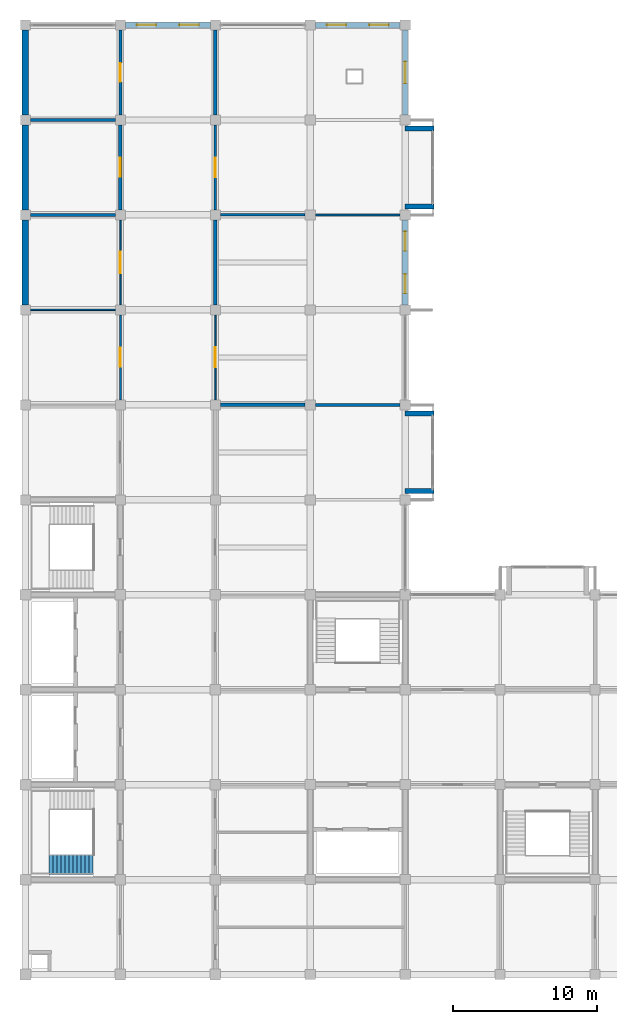
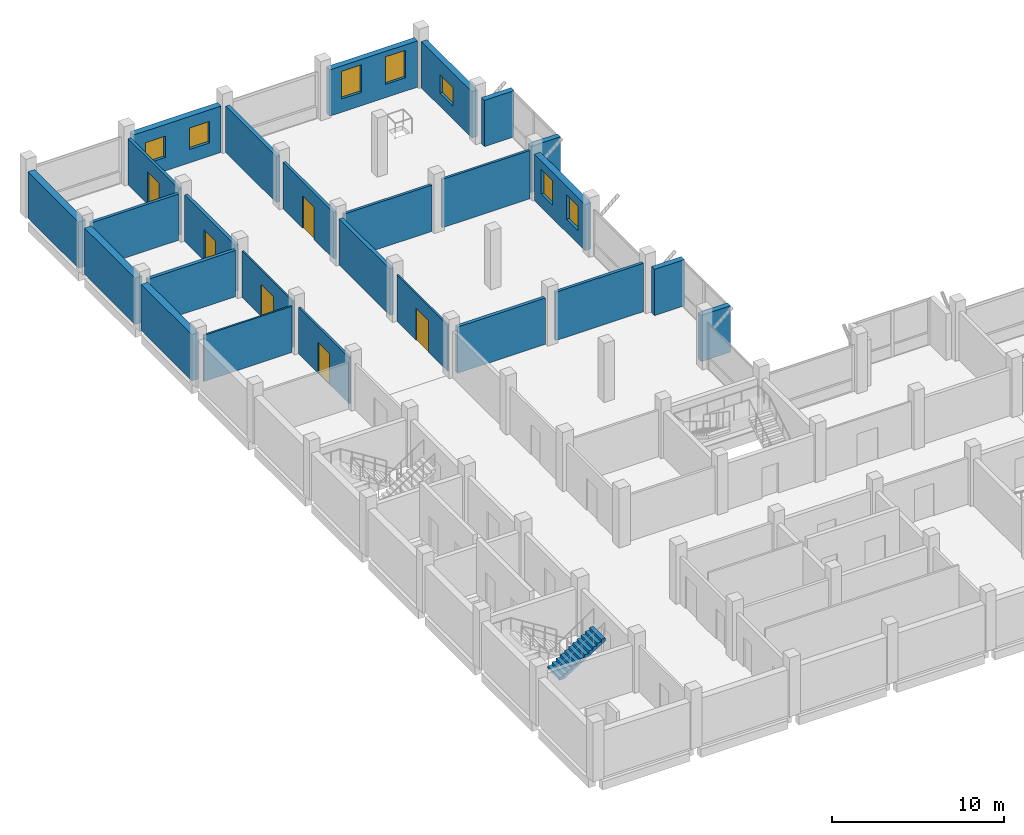
# One storey, part 9 of 11: 26 walls, 7 windows, 6 doors, 1 stair flight, 13 openings, 1 element without a shape of its own.
"""IFC4 building model written with IfcOpenShell, lengths in metres."""

from ifc_helpers import new_model, si_unit, direction, frame, frame_2d, origin, place, context, subcontext, project, spatial, polyline, rectangle, outline, extrude, material, layer, layer_set, type_object, element, fill, aggregate, save


model = new_model("IFC4")

# Units and contexts
model_context = context("Model", 3, precision=1e-05, world=origin(), true_north=direction((0.0, 1.0)))
body_context = subcontext(model_context, "Body", "Model", "MODEL_VIEW")
ifc_project = project(units=[si_unit("LENGTHUNIT", "METRE"), si_unit("AREAUNIT", "SQUARE_METRE"), si_unit("VOLUMEUNIT", "CUBIC_METRE"), si_unit("PLANEANGLEUNIT", "RADIAN"), si_unit("MASSUNIT", "GRAM", prefix="KILO")], contexts=[model_context])

# Site, building, storey
site_placement = place(None, origin())
site = spatial("IfcSite", under=ifc_project, at=site_placement, CompositionType="ELEMENT")
building_placement = place(site_placement, origin())
building = spatial("IfcBuilding", under=site, at=building_placement, Name="Rusizi Kubbe Research Institute", CompositionType="ELEMENT")
storey_placement = place(building_placement, frame((0.0, 0.0, 39.60009765625)))
storey = spatial("IfcBuildingStorey", under=building, at=storey_placement, Name="L09", CompositionType="ELEMENT", Elevation=39.60009765625)

# Wall, openings, windows
ifc_material_1 = material(Name="Volcanic Basalt Ashlar Masonry", Category="masonry")
ifc_layer_1 = layer(ifc_material_1, 0.419921875)
ifc_layer_set_1 = layer_set([ifc_layer_1], Name="Volcanic Basalt Ashlar Masonry")
wall_type_1 = type_object("IfcWallType", Name="EW-02", PredefinedType="SOLIDWALL", material=ifc_layer_set_1)
wall_1_placement = place(storey_placement, frame((6.949951171875, 66.0, 0.0), z_axis=(0.0, 0.0, 1.0), x_axis=(1.0, 0.0, 0.0)))
wall_1 = element("IfcWall", 1, at=wall_1_placement, inside=storey, type_object=wall_type_1, Name="Ablaq Stone Exterior Wall L09 H1-10", PredefinedType="SOLIDWALL", context=body_context, shape_type="SweptSolid", body=[
    extrude(rectangle(XDim=5.900146484375, YDim=0.419921875, at=frame_2d((2.9501953125, 0.0))), origin(), (0.0, 0.0, 1.0), 3.289794921875),
])
opening_1_placement = place(wall_1_placement, frame((0.800048828125, 0.0, 0.949951171875)))
opening_1 = element("IfcOpeningElement", 2, at=opening_1_placement, cuts=wall_1, Name="Opening WN-14", PredefinedType="OPENING", context=body_context, shape_type="SweptSolid", body=[
    extrude(rectangle(XDim=1.340087890625, YDim=1.52001953125, at=frame_2d((0.669921875, 0.760009765625))), frame((0.0, 0.219970703125, 0.0), z_axis=(0.0, -1.0, 0.0), x_axis=(1.0, 0.0, 0.0)), (0.0, 0.0, 1.0), 0.43994140625),
])
opening_2_placement = place(wall_1_placement, frame((3.760009765625, 0.0, 0.949951171875)))
opening_2 = element("IfcOpeningElement", 3, at=opening_2_placement, cuts=wall_1, Name="Opening WN-14", PredefinedType="OPENING", context=body_context, shape_type="SweptSolid", body=[
    extrude(rectangle(XDim=1.340087890625, YDim=1.52001953125, at=frame_2d((0.669921875, 0.760009765625))), frame((0.0, 0.219970703125, 0.0), z_axis=(0.0, -1.0, 0.0), x_axis=(1.0, 0.0, 0.0)), (0.0, 0.0, 1.0), 0.43994140625),
])
ifc_material_2 = material(Name="Aluminium Frame and Solar-Control Double Glazing", Category="glass")
window_type_1 = type_object("IfcWindowType", Name="WN-14", PartitioningType="SINGLE_PANEL", PredefinedType="WINDOW", material=ifc_material_2)
window_1_placement = place(opening_1_placement, origin())
window_1 = element("IfcWindow", 4, at=window_1_placement, inside=storey, type_object=window_type_1, Name="Casement Window WN-14 L09", OverallHeight=1.52001953125, OverallWidth=1.340087890625, PartitioningType="SINGLE_PANEL", PredefinedType="WINDOW", context=body_context, shape_type="SweptSolid", body=[
    extrude(rectangle(XDim=1.340087890625, YDim=1.52001953125, at=frame_2d((0.669921875, 0.760009765625))), frame((0.0, 0.030029296875, 0.0), z_axis=(0.0, -1.0, 0.0), x_axis=(1.0, 0.0, 0.0)), (0.0, 0.0, 1.0), 0.06005859375),
])
fill(opening_1, window_1)
window_2_placement = place(opening_2_placement, origin())
window_2 = element("IfcWindow", 5, at=window_2_placement, inside=storey, type_object=window_type_1, Name="Casement Window WN-14 L09", OverallHeight=1.52001953125, OverallWidth=1.340087890625, PartitioningType="SINGLE_PANEL", PredefinedType="WINDOW", context=body_context, shape_type="SweptSolid", body=[
    extrude(rectangle(XDim=1.340087890625, YDim=1.52001953125, at=frame_2d((0.669921875, 0.760009765625))), frame((0.0, 0.030029296875, 0.0), z_axis=(0.0, -1.0, 0.0), x_axis=(1.0, 0.0, 0.0)), (0.0, 0.0, 1.0), 0.06005859375),
])
fill(opening_2, window_2)

wall_2_placement = place(storey_placement, frame((26.39990234375, 46.550048828125, 0.0), z_axis=(0.0, 0.0, 1.0), x_axis=(0.0, 1.0, 0.0)))
wall_2 = element("IfcWall", 6, at=wall_2_placement, inside=storey, type_object=wall_type_1, Name="Ablaq Stone Exterior Wall L09 V4-7", PredefinedType="SOLIDWALL", context=body_context, shape_type="SweptSolid", body=[
    extrude(rectangle(XDim=5.89990234375, YDim=0.419921875, at=frame_2d((2.949951171875, 0.0))), origin(), (0.0, 0.0, 1.0), 3.289794921875),
])
opening_3_placement = place(wall_2_placement, frame((0.800048828125, 0.0, 0.949951171875)))
opening_3 = element("IfcOpeningElement", 7, at=opening_3_placement, cuts=wall_2, Name="Opening WN-15", PredefinedType="OPENING", context=body_context, shape_type="SweptSolid", body=[
    extrude(rectangle(XDim=1.340087890625, YDim=1.739990234375, at=frame_2d((0.669921875, 0.8701171875))), frame((0.0, 0.219970703125, 0.0), z_axis=(0.0, -1.0, 0.0), x_axis=(1.0, 0.0, 0.0)), (0.0, 0.0, 1.0), 0.43994140625),
])
opening_4_placement = place(wall_2_placement, frame((3.760009765625, 0.0, 0.949951171875)))
opening_4 = element("IfcOpeningElement", 8, at=opening_4_placement, cuts=wall_2, Name="Opening WN-15", PredefinedType="OPENING", context=body_context, shape_type="SweptSolid", body=[
    extrude(rectangle(XDim=1.340087890625, YDim=1.739990234375, at=frame_2d((0.669921875, 0.8701171875))), frame((0.0, 0.219970703125, 0.0), z_axis=(0.0, -1.0, 0.0), x_axis=(1.0, 0.0, 0.0)), (0.0, 0.0, 1.0), 0.43994140625),
])
ifc_material_3 = material(Name="Aluminium Frame and Solar-Control Double Glazing", Category="glass")
window_type_2 = type_object("IfcWindowType", Name="WN-15", PartitioningType="SINGLE_PANEL", PredefinedType="WINDOW", material=ifc_material_3)
window_3_placement = place(opening_3_placement, origin())
window_3 = element("IfcWindow", 9, at=window_3_placement, inside=storey, type_object=window_type_2, Name="Casement Window WN-15 L09", OverallHeight=1.739990234375, OverallWidth=1.340087890625, PartitioningType="SINGLE_PANEL", PredefinedType="WINDOW", context=body_context, shape_type="SweptSolid", body=[
    extrude(rectangle(XDim=1.340087890625, YDim=1.739990234375, at=frame_2d((0.669921875, 0.8701171875))), frame((0.0, 0.030029296875, 0.0), z_axis=(0.0, -1.0, 0.0), x_axis=(1.0, 0.0, 0.0)), (0.0, 0.0, 1.0), 0.06005859375),
])
fill(opening_3, window_3)
window_4_placement = place(opening_4_placement, origin())
window_4 = element("IfcWindow", 10, at=window_4_placement, inside=storey, type_object=window_type_2, Name="Casement Window WN-15 L09", OverallHeight=1.739990234375, OverallWidth=1.340087890625, PartitioningType="SINGLE_PANEL", PredefinedType="WINDOW", context=body_context, shape_type="SweptSolid", body=[
    extrude(rectangle(XDim=1.340087890625, YDim=1.739990234375, at=frame_2d((0.669921875, 0.8701171875))), frame((0.0, 0.030029296875, 0.0), z_axis=(0.0, -1.0, 0.0), x_axis=(1.0, 0.0, 0.0)), (0.0, 0.0, 1.0), 0.06005859375),
])
fill(opening_4, window_4)

ifc_material_4 = material(Name="Volcanic Basalt Ashlar Masonry", Category="masonry")
ifc_layer_2 = layer(ifc_material_4, 0.385009765625)
ifc_layer_set_2 = layer_set([ifc_layer_2], Name="Volcanic Basalt Ashlar Masonry")
wall_type_2 = type_object("IfcWallType", Name="EW-04", PredefinedType="SOLIDWALL", material=ifc_layer_set_2)
wall_3_placement = place(storey_placement, frame((20.14990234375, 66.0, 0.0), z_axis=(0.0, 0.0, 1.0), x_axis=(1.0, 0.0, 0.0)))
wall_3 = element("IfcWall", 11, at=wall_3_placement, inside=storey, type_object=wall_type_2, Name="Ablaq Stone Exterior Wall L09 H3-10", PredefinedType="SOLIDWALL", context=body_context, shape_type="SweptSolid", body=[
    extrude(rectangle(XDim=5.900146484375, YDim=0.385009765625, at=frame_2d((2.9501953125, 0.0))), origin(), (0.0, 0.0, 1.0), 3.289794921875),
])
opening_5_placement = place(wall_3_placement, frame((0.800048828125, 0.0, 0.949951171875)))
opening_5 = element("IfcOpeningElement", 12, at=opening_5_placement, cuts=wall_3, Name="Opening WN-16", PredefinedType="OPENING", context=body_context, shape_type="SweptSolid", body=[
    extrude(rectangle(XDim=1.340087890625, YDim=1.9599609375, at=frame_2d((0.669921875, 0.97998046875))), frame((0.0, 0.202392578125, 0.0), z_axis=(0.0, -1.0, 0.0), x_axis=(1.0, 0.0, 0.0)), (0.0, 0.0, 1.0), 0.405029296875),
])
opening_6_placement = place(wall_3_placement, frame((3.760009765625, 0.0, 0.949951171875)))
opening_6 = element("IfcOpeningElement", 13, at=opening_6_placement, cuts=wall_3, Name="Opening WN-16", PredefinedType="OPENING", context=body_context, shape_type="SweptSolid", body=[
    extrude(rectangle(XDim=1.340087890625, YDim=1.9599609375, at=frame_2d((0.669921875, 0.97998046875))), frame((0.0, 0.202392578125, 0.0), z_axis=(0.0, -1.0, 0.0), x_axis=(1.0, 0.0, 0.0)), (0.0, 0.0, 1.0), 0.405029296875),
])
ifc_material_5 = material(Name="Aluminium Frame and Solar-Control Double Glazing", Category="glass")
window_type_3 = type_object("IfcWindowType", Name="WN-16", PartitioningType="SINGLE_PANEL", PredefinedType="WINDOW", material=ifc_material_5)
window_5_placement = place(opening_5_placement, origin())
window_5 = element("IfcWindow", 14, at=window_5_placement, inside=storey, type_object=window_type_3, Name="Casement Window WN-16 L09", OverallHeight=1.9599609375, OverallWidth=1.340087890625, PartitioningType="SINGLE_PANEL", PredefinedType="WINDOW", context=body_context, shape_type="SweptSolid", body=[
    extrude(rectangle(XDim=1.340087890625, YDim=1.9599609375, at=frame_2d((0.669921875, 0.97998046875))), frame((0.0, 0.030029296875, 0.0), z_axis=(0.0, -1.0, 0.0), x_axis=(1.0, 0.0, 0.0)), (0.0, 0.0, 1.0), 0.06005859375),
])
fill(opening_5, window_5)
window_6_placement = place(opening_6_placement, origin())
window_6 = element("IfcWindow", 15, at=window_6_placement, inside=storey, type_object=window_type_3, Name="Casement Window WN-16 L09", OverallHeight=1.9599609375, OverallWidth=1.340087890625, PartitioningType="SINGLE_PANEL", PredefinedType="WINDOW", context=body_context, shape_type="SweptSolid", body=[
    extrude(rectangle(XDim=1.340087890625, YDim=1.9599609375, at=frame_2d((0.669921875, 0.97998046875))), frame((0.0, 0.030029296875, 0.0), z_axis=(0.0, -1.0, 0.0), x_axis=(1.0, 0.0, 0.0)), (0.0, 0.0, 1.0), 0.06005859375),
])
fill(opening_6, window_6)

# Wall, opening, window
wall_4_placement = place(storey_placement, frame((26.39990234375, 59.75, 0.0), z_axis=(0.0, 0.0, 1.0), x_axis=(0.0, 1.0, 0.0)))
wall_4 = element("IfcWall", 16, at=wall_4_placement, inside=storey, type_object=wall_type_2, Name="Ablaq Stone Exterior Wall L09 V4-9", PredefinedType="SOLIDWALL", context=body_context, shape_type="SweptSolid", body=[
    extrude(rectangle(XDim=5.89990234375, YDim=0.385009765625, at=frame_2d((2.949951171875, 0.0))), origin(), (0.0, 0.0, 1.0), 3.289794921875),
])
opening_7_placement = place(wall_4_placement, frame((2.18994140625, 0.0, 0.949951171875)))
opening_7 = element("IfcOpeningElement", 17, at=opening_7_placement, cuts=wall_4, Name="Opening WN-17", PredefinedType="OPENING", context=body_context, shape_type="SweptSolid", body=[
    extrude(rectangle(XDim=1.52001953125, YDim=1.300048828125, at=frame_2d((0.760009765625, 0.64990234375))), frame((0.0, 0.202392578125, 0.0), z_axis=(0.0, -1.0, 0.0), x_axis=(1.0, 0.0, 0.0)), (0.0, 0.0, 1.0), 0.405029296875),
])
ifc_material_6 = material(Name="Aluminium Frame and Solar-Control Double Glazing", Category="glass")
window_type_4 = type_object("IfcWindowType", Name="WN-17", PartitioningType="DOUBLE_PANEL_VERTICAL", PredefinedType="WINDOW", material=ifc_material_6)
window_7_placement = place(opening_7_placement, origin())
window_7 = element("IfcWindow", 18, at=window_7_placement, inside=storey, type_object=window_type_4, Name="Casement Window WN-17 L09", OverallHeight=1.300048828125, OverallWidth=1.52001953125, PartitioningType="DOUBLE_PANEL_VERTICAL", PredefinedType="WINDOW", context=body_context, shape_type="SweptSolid", body=[
    extrude(rectangle(XDim=1.52001953125, YDim=1.300048828125, at=frame_2d((0.760009765625, 0.64990234375))), frame((0.0, 0.030029296875, 0.0), z_axis=(0.0, -1.0, 0.0), x_axis=(1.0, 0.0, 0.0)), (0.0, 0.0, 1.0), 0.06005859375),
])
fill(opening_7, window_7)

# Walls
ifc_material_7 = material(Name="Volcanic Basalt Ashlar Masonry", Category="masonry")
ifc_layer_3 = layer(ifc_material_7, 0.35498046875)
ifc_layer_set_3 = layer_set([ifc_layer_3], Name="Volcanic Basalt Ashlar Masonry")
wall_type_3 = type_object("IfcWallType", Name="EW-06", PredefinedType="SOLIDWALL", material=ifc_layer_set_3)
for number, where, z_axis, x_axis, name in (
    (19, (26.39990234375, 33.60009765625, 0.0), (0.0, 0.0, 1.0), (1.0, 0.0, 0.0), "Cumba Return Wall S L09 (4,5)"),
    (20, (26.39990234375, 39.0, 0.0), (0.0, 0.0, 1.0), (1.0, 0.0, 0.0), "Cumba Return Wall N L09 (4,5)"),
    (21, (26.39990234375, 53.39990234375, 0.0), (0.0, 0.0, 1.0), (1.0, 0.0, 0.0), "Cumba Return Wall S L09 (4,8)"),
    (22, (26.39990234375, 58.800048828125, 0.0), (0.0, 0.0, 1.0), (1.0, 0.0, 0.0), "Cumba Return Wall N L09 (4,8)"),
):
    element("IfcWall", number, at=place(storey_placement, frame(where, z_axis=z_axis, x_axis=x_axis)), inside=storey, type_object=wall_type_3, Name=name, PredefinedType="SOLIDWALL", context=body_context, shape_type="SweptSolid", body=[
        extrude(rectangle(XDim=2.0, YDim=0.35498046875, at=frame_2d((1.0, 0.0))), origin(), (0.0, 0.0, 1.0), 3.289794921875),
    ])
ifc_material_8 = material(Name="Concrete Blockwork Fire Partition", Category="masonry")
ifc_layer_4 = layer(ifc_material_8, 0.22509765625)
ifc_layer_set_4 = layer_set([ifc_layer_4], Name="Concrete Blockwork Fire Partition")
wall_type_4 = type_object("IfcWallType", Name="IW-01", PredefinedType="PARTITIONING", material=ifc_layer_set_4)
wall_5_placement = place(storey_placement, frame((0.35009765625, 52.800048828125, 0.0), z_axis=(0.0, 0.0, 1.0), x_axis=(1.0, 0.0, 0.0)))
element("IfcWall", 23, at=wall_5_placement, inside=storey, type_object=wall_type_4, Name="Interior Partition Wall L09 H0-8", PredefinedType="PARTITIONING", context=body_context, shape_type="SweptSolid", body=[
    extrude(rectangle(XDim=5.89990234375, YDim=0.22509765625, at=frame_2d((2.949951171875, 0.0))), origin(), (0.0, 0.0, 1.0), 3.289794921875),
])

# Wall, opening, door
wall_6_placement = place(storey_placement, frame((6.60009765625, 53.14990234375, 0.0), z_axis=(0.0, 0.0, 1.0), x_axis=(0.0, 1.0, 0.0)))
wall_6 = element("IfcWall", 24, at=wall_6_placement, inside=storey, type_object=wall_type_4, Name="Interior Partition Wall L09 V1-8", PredefinedType="PARTITIONING", context=body_context, shape_type="SweptSolid", body=[
    extrude(rectangle(XDim=5.900146484375, YDim=0.22509765625, at=frame_2d((2.9501953125, 0.0))), origin(), (0.0, 0.0, 1.0), 3.289794921875),
])
opening_8_placement = place(wall_6_placement, frame((2.2900390625, 0.0, 0.0)))
opening_8 = element("IfcOpeningElement", 25, at=opening_8_placement, cuts=wall_6, Name="Opening LD-07", PredefinedType="OPENING", context=body_context, shape_type="SweptSolid", body=[
    extrude(rectangle(XDim=1.320068359375, YDim=2.199951171875, at=frame_2d((0.66015625, 1.10009765625))), frame((0.0, 0.12255859375, 0.0), z_axis=(0.0, -1.0, 0.0), x_axis=(1.0, 0.0, 0.0)), (0.0, 0.0, 1.0), 0.2451171875),
])
ifc_material_9 = material(Name="Brushed Stainless Steel Sliding Door", Category="steel")
door_type_1 = type_object("IfcDoorType", Name="LD-07", OperationType="DOUBLE_DOOR_SLIDING", PredefinedType="USERDEFINED", material=ifc_material_9)
door_1_placement = place(opening_8_placement, origin())
door_1 = element("IfcDoor", 26, at=door_1_placement, inside=storey, type_object=door_type_1, Name="Door to ISO-6 Clean Room Suite (L09-CR-08)", ObjectType="SLIDING DOOR", OperationType="DOUBLE_DOOR_SLIDING", OverallHeight=2.199951171875, OverallWidth=1.320068359375, PredefinedType="USERDEFINED", context=body_context, shape_type="SweptSolid", body=[
    extrude(rectangle(XDim=1.320068359375, YDim=2.199951171875, at=frame_2d((0.66015625, 1.10009765625))), frame((0.0, 0.02490234375, 0.0), z_axis=(0.0, -1.0, 0.0), x_axis=(1.0, 0.0, 0.0)), (0.0, 0.0, 1.0), 0.050048828125),
])
fill(opening_8, door_1)

# Walls
wall_7_placement = place(storey_placement, frame((13.550048828125, 39.60009765625, 0.0), z_axis=(0.0, 0.0, 1.0), x_axis=(1.0, 0.0, 0.0)))
element("IfcWall", 27, at=wall_7_placement, inside=storey, type_object=wall_type_4, Name="Interior Partition Wall L09 H2-6", PredefinedType="PARTITIONING", context=body_context, shape_type="SweptSolid", body=[
    extrude(rectangle(XDim=5.89990234375, YDim=0.22509765625, at=frame_2d((2.949951171875, 0.0))), origin(), (0.0, 0.0, 1.0), 3.289794921875),
])
ifc_material_10 = material(Name="Insulated Cleanroom Partition", Category="masonry")
ifc_layer_5 = layer(ifc_material_10, 0.195068359375)
ifc_layer_set_5 = layer_set([ifc_layer_5], Name="Insulated Cleanroom Partition")
wall_type_5 = type_object("IfcWallType", Name="IW-02", PredefinedType="PARTITIONING", material=ifc_layer_set_5)
wall_8_placement = place(storey_placement, frame((0.35009765625, 59.39990234375, 0.0), z_axis=(0.0, 0.0, 1.0), x_axis=(1.0, 0.0, 0.0)))
element("IfcWall", 28, at=wall_8_placement, inside=storey, type_object=wall_type_5, Name="Interior Partition Wall L09 H0-9", PredefinedType="PARTITIONING", context=body_context, shape_type="SweptSolid", body=[
    extrude(rectangle(XDim=5.89990234375, YDim=0.195068359375, at=frame_2d((2.949951171875, 0.0))), origin(), (0.0, 0.0, 1.0), 3.289794921875),
])

# Wall, opening, door
wall_9_placement = place(storey_placement, frame((6.60009765625, 59.75, 0.0), z_axis=(0.0, 0.0, 1.0), x_axis=(0.0, 1.0, 0.0)))
wall_9 = element("IfcWall", 29, at=wall_9_placement, inside=storey, type_object=wall_type_5, Name="Interior Partition Wall L09 V1-9", PredefinedType="PARTITIONING", context=body_context, shape_type="SweptSolid", body=[
    extrude(rectangle(XDim=5.89990234375, YDim=0.195068359375, at=frame_2d((2.949951171875, 0.0))), origin(), (0.0, 0.0, 1.0), 3.289794921875),
])
opening_9_placement = place(wall_9_placement, frame((2.300048828125, 0.0, 0.0)))
opening_9 = element("IfcOpeningElement", 30, at=opening_9_placement, cuts=wall_9, Name="Opening D-14", PredefinedType="OPENING", context=body_context, shape_type="SweptSolid", body=[
    extrude(rectangle(XDim=1.300048828125, YDim=2.300048828125, at=frame_2d((0.64990234375, 1.14990234375))), frame((0.0, 0.107421875, 0.0), z_axis=(0.0, -1.0, 0.0), x_axis=(1.0, 0.0, 0.0)), (0.0, 0.0, 1.0), 0.215087890625),
])
ifc_material_11 = material(Name="Fire-Rated Steel Frame and Acoustic Timber Leaf", Category="wood")
door_type_2 = type_object("IfcDoorType", Name="ID-LAB-130", OperationType="NOTDEFINED", PredefinedType="DOOR", material=ifc_material_11)
door_2_placement = place(opening_9_placement, origin())
door_2 = element("IfcDoor", 31, at=door_2_placement, inside=storey, type_object=door_type_2, Name="Door to Clean Room Metrology Laboratory (L09-WSP-09)", OperationType="SINGLE_SWING_RIGHT", OverallHeight=2.300048828125, OverallWidth=1.300048828125, PredefinedType="DOOR", context=body_context, shape_type="SweptSolid", body=[
    extrude(rectangle(XDim=1.300048828125, YDim=2.300048828125, at=frame_2d((0.64990234375, 1.14990234375))), frame((0.0, 0.02490234375, 0.0), z_axis=(0.0, -1.0, 0.0), x_axis=(1.0, 0.0, 0.0)), (0.0, 0.0, 1.0), 0.050048828125),
])
fill(opening_9, door_2)

wall_10_placement = place(storey_placement, frame((13.199951171875, 53.14990234375, 0.0), z_axis=(0.0, 0.0, 1.0), x_axis=(0.0, 1.0, 0.0)))
wall_10 = element("IfcWall", 32, at=wall_10_placement, inside=storey, type_object=wall_type_5, Name="Interior Partition Wall L09 V2-8", PredefinedType="PARTITIONING", context=body_context, shape_type="SweptSolid", body=[
    extrude(rectangle(XDim=5.900146484375, YDim=0.195068359375, at=frame_2d((2.9501953125, 0.0))), origin(), (0.0, 0.0, 1.0), 3.289794921875),
])
opening_10_placement = place(wall_10_placement, frame((2.27490234375, 0.0, 0.0)))
opening_10 = element("IfcOpeningElement", 33, at=opening_10_placement, cuts=wall_10, Name="Opening D-13", PredefinedType="OPENING", context=body_context, shape_type="SweptSolid", body=[
    extrude(rectangle(XDim=1.35009765625, YDim=2.300048828125, at=frame_2d((0.675048828125, 1.14990234375))), frame((0.0, 0.107421875, 0.0), z_axis=(0.0, -1.0, 0.0), x_axis=(1.0, 0.0, 0.0)), (0.0, 0.0, 1.0), 0.215087890625),
])
ifc_material_12 = material(Name="Fire-Rated Steel Frame and Acoustic Timber Leaf", Category="wood")
door_type_3 = type_object("IfcDoorType", Name="ID-LAB-135", OperationType="NOTDEFINED", PredefinedType="DOOR", material=ifc_material_12)
door_3_placement = place(opening_10_placement, origin())
door_3 = element("IfcDoor", 34, at=door_3_placement, inside=storey, type_object=door_type_3, Name="Door to Computational Dry Laboratory (L09-NW-04)", OperationType="SINGLE_SWING_LEFT", OverallHeight=2.300048828125, OverallWidth=1.35009765625, PredefinedType="DOOR", context=body_context, shape_type="SweptSolid", body=[
    extrude(rectangle(XDim=1.35009765625, YDim=2.300048828125, at=frame_2d((0.675048828125, 1.14990234375))), frame((0.0, 0.02490234375, 0.0), z_axis=(0.0, -1.0, 0.0), x_axis=(1.0, 0.0, 0.0)), (0.0, 0.0, 1.0), 0.050048828125),
])
fill(opening_10, door_3)

# Walls
wall_11_placement = place(storey_placement, frame((20.14990234375, 39.60009765625, 0.0), z_axis=(0.0, 0.0, 1.0), x_axis=(1.0, 0.0, 0.0)))
element("IfcWall", 35, at=wall_11_placement, inside=storey, type_object=wall_type_5, Name="Interior Partition Wall L09 H3-6", PredefinedType="PARTITIONING", context=body_context, shape_type="SweptSolid", body=[
    extrude(rectangle(XDim=5.900146484375, YDim=0.195068359375, at=frame_2d((2.9501953125, 0.0))), origin(), (0.0, 0.0, 1.0), 3.43994140625),
])
ifc_material_13 = material(Name="Acoustic Laboratory Partition", Category="masonry")
ifc_layer_6 = layer(ifc_material_13, 0.175048828125)
ifc_layer_set_6 = layer_set([ifc_layer_6], Name="Acoustic Laboratory Partition")
wall_type_6 = type_object("IfcWallType", Name="IW-03", PredefinedType="PARTITIONING", material=ifc_layer_set_6)
wall_12_placement = place(storey_placement, frame((13.550048828125, 52.800048828125, 0.0), z_axis=(0.0, 0.0, 1.0), x_axis=(1.0, 0.0, 0.0)))
element("IfcWall", 36, at=wall_12_placement, inside=storey, type_object=wall_type_6, Name="Interior Partition Wall L09 H2-8", PredefinedType="PARTITIONING", context=body_context, shape_type="SweptSolid", body=[
    extrude(rectangle(XDim=5.89990234375, YDim=0.175048828125, at=frame_2d((2.949951171875, 0.0))), origin(), (0.0, 0.0, 1.0), 3.289794921875),
])
ifc_material_14 = material(Name="Fire-Rated Corridor Partition", Category="masonry")
ifc_layer_7 = layer(ifc_material_14, 0.155029296875)
ifc_layer_set_7 = layer_set([ifc_layer_7], Name="Fire-Rated Corridor Partition")
wall_type_7 = type_object("IfcWallType", Name="IW-04", PredefinedType="PARTITIONING", material=ifc_layer_set_7)
wall_13_placement = place(storey_placement, frame((20.14990234375, 52.800048828125, 0.0), z_axis=(0.0, 0.0, 1.0), x_axis=(1.0, 0.0, 0.0)))
element("IfcWall", 37, at=wall_13_placement, inside=storey, type_object=wall_type_7, Name="Interior Partition Wall L09 H3-8", PredefinedType="PARTITIONING", context=body_context, shape_type="SweptSolid", body=[
    extrude(rectangle(XDim=5.900146484375, YDim=0.155029296875, at=frame_2d((2.9501953125, 0.0))), origin(), (0.0, 0.0, 1.0), 3.43994140625),
])

# Wall, opening, door
ifc_material_15 = material(Name="Write-up Glazed Acoustic Partition", Category="masonry")
ifc_layer_8 = layer(ifc_material_15, 0.139892578125)
ifc_layer_set_8 = layer_set([ifc_layer_8], Name="Write-up Glazed Acoustic Partition")
wall_type_8 = type_object("IfcWallType", Name="IW-05", PredefinedType="PARTITIONING", material=ifc_layer_set_8)
wall_14_placement = place(storey_placement, frame((6.60009765625, 39.949951171875, 0.0), z_axis=(0.0, 0.0, 1.0), x_axis=(0.0, 1.0, 0.0)))
wall_14 = element("IfcWall", 38, at=wall_14_placement, inside=storey, type_object=wall_type_8, Name="Interior Partition Wall L09 V1-6", PredefinedType="PARTITIONING", context=body_context, shape_type="SweptSolid", body=[
    extrude(rectangle(XDim=5.900146484375, YDim=0.139892578125, at=frame_2d((2.9501953125, 0.0))), origin(), (0.0, 0.0, 1.0), 3.289794921875),
])
opening_11_placement = place(wall_14_placement, frame((2.2900390625, 0.0, 0.0)))
opening_11 = element("IfcOpeningElement", 39, at=opening_11_placement, cuts=wall_14, Name="Opening LD-07", PredefinedType="OPENING", context=body_context, shape_type="SweptSolid", body=[
    extrude(rectangle(XDim=1.320068359375, YDim=2.199951171875, at=frame_2d((0.66015625, 1.10009765625))), frame((0.0, 0.079833984375, 0.0), z_axis=(0.0, -1.0, 0.0), x_axis=(1.0, 0.0, 0.0)), (0.0, 0.0, 1.0), 0.159912109375),
])
door_4_placement = place(opening_11_placement, origin())
door_4 = element("IfcDoor", 40, at=door_4_placement, inside=storey, type_object=door_type_1, Name="Door to ISO-6 Clean Room Suite (L09-CR-06)", ObjectType="SLIDING DOOR", OperationType="DOUBLE_DOOR_SLIDING", OverallHeight=2.199951171875, OverallWidth=1.320068359375, PredefinedType="USERDEFINED", context=body_context, shape_type="SweptSolid", body=[
    extrude(rectangle(XDim=1.320068359375, YDim=2.199951171875, at=frame_2d((0.66015625, 1.10009765625))), frame((0.0, 0.02490234375, 0.0), z_axis=(0.0, -1.0, 0.0), x_axis=(1.0, 0.0, 0.0)), (0.0, 0.0, 1.0), 0.050048828125),
])
fill(opening_11, door_4)

# Wall
ifc_material_16 = material(Name="Sub-Suite Fire Partition", Category="masonry")
ifc_layer_9 = layer(ifc_material_16, 0.110107421875)
ifc_layer_set_9 = layer_set([ifc_layer_9], Name="Sub-Suite Fire Partition")
wall_type_9 = type_object("IfcWallType", Name="IW-07", PredefinedType="PARTITIONING", material=ifc_layer_set_9)
wall_15_placement = place(storey_placement, frame((0.35009765625, 46.199951171875, 0.0), z_axis=(0.0, 0.0, 1.0), x_axis=(1.0, 0.0, 0.0)))
element("IfcWall", 41, at=wall_15_placement, inside=storey, type_object=wall_type_9, Name="Interior Partition Wall L09 H0-7", PredefinedType="PARTITIONING", context=body_context, shape_type="SweptSolid", body=[
    extrude(rectangle(XDim=5.89990234375, YDim=0.110107421875, at=frame_2d((2.949951171875, 0.0))), origin(), (0.0, 0.0, 1.0), 3.289794921875),
])

# Wall, opening, door
wall_16_placement = place(storey_placement, frame((6.60009765625, 46.550048828125, 0.0), z_axis=(0.0, 0.0, 1.0), x_axis=(0.0, 1.0, 0.0)))
wall_16 = element("IfcWall", 42, at=wall_16_placement, inside=storey, type_object=wall_type_9, Name="Interior Partition Wall L09 V1-7", PredefinedType="PARTITIONING", context=body_context, shape_type="SweptSolid", body=[
    extrude(rectangle(XDim=5.89990234375, YDim=0.110107421875, at=frame_2d((2.949951171875, 0.0))), origin(), (0.0, 0.0, 1.0), 3.289794921875),
])
opening_12_placement = place(wall_16_placement, frame((2.2099609375, 0.0, 0.0)))
opening_12 = element("IfcOpeningElement", 43, at=opening_12_placement, cuts=wall_16, Name="Opening LD-08", PredefinedType="OPENING", context=body_context, shape_type="SweptSolid", body=[
    extrude(rectangle(XDim=1.47998046875, YDim=2.25, at=frame_2d((0.739990234375, 1.125))), frame((0.0, 0.06494140625, 0.0), z_axis=(0.0, -1.0, 0.0), x_axis=(1.0, 0.0, 0.0)), (0.0, 0.0, 1.0), 0.130126953125),
])
ifc_material_17 = material(Name="Brushed Stainless Steel Sliding Door", Category="steel")
door_type_4 = type_object("IfcDoorType", Name="LD-08", OperationType="DOUBLE_DOOR_SLIDING", PredefinedType="USERDEFINED", material=ifc_material_17)
door_5_placement = place(opening_12_placement, origin())
door_5 = element("IfcDoor", 44, at=door_5_placement, inside=storey, type_object=door_type_4, Name="Door to Clean Room Gowning Airlock (L09-ALK-07)", ObjectType="SLIDING DOOR", OperationType="DOUBLE_DOOR_SLIDING", OverallHeight=2.25, OverallWidth=1.47998046875, PredefinedType="USERDEFINED", context=body_context, shape_type="SweptSolid", body=[
    extrude(rectangle(XDim=1.47998046875, YDim=2.25, at=frame_2d((0.739990234375, 1.125))), frame((0.0, 0.02490234375, 0.0), z_axis=(0.0, -1.0, 0.0), x_axis=(1.0, 0.0, 0.0)), (0.0, 0.0, 1.0), 0.050048828125),
])
fill(opening_12, door_5)

wall_17_placement = place(storey_placement, frame((13.199951171875, 39.949951171875, 0.0), z_axis=(0.0, 0.0, 1.0), x_axis=(0.0, 1.0, 0.0)))
wall_17 = element("IfcWall", 45, at=wall_17_placement, inside=storey, type_object=wall_type_9, Name="Interior Partition Wall L09 V2-6", PredefinedType="PARTITIONING", context=body_context, shape_type="SweptSolid", body=[
    extrude(rectangle(XDim=5.900146484375, YDim=0.110107421875, at=frame_2d((2.9501953125, 0.0))), origin(), (0.0, 0.0, 1.0), 3.289794921875),
])
opening_13_placement = place(wall_17_placement, frame((2.25, 0.0, 0.0)))
opening_13 = element("IfcOpeningElement", 46, at=opening_13_placement, cuts=wall_17, Name="Opening D-12", PredefinedType="OPENING", context=body_context, shape_type="SweptSolid", body=[
    extrude(rectangle(XDim=1.39990234375, YDim=2.25, at=frame_2d((0.699951171875, 1.125))), frame((0.0, 0.06494140625, 0.0), z_axis=(0.0, -1.0, 0.0), x_axis=(1.0, 0.0, 0.0)), (0.0, 0.0, 1.0), 0.130126953125),
])
ifc_material_18 = material(Name="Fire-Rated Steel Frame and Acoustic Timber Leaf", Category="wood")
door_type_5 = type_object("IfcDoorType", Name="ID-LAB-140", OperationType="NOTDEFINED", PredefinedType="DOOR", material=ifc_material_18)
door_6_placement = place(opening_13_placement, origin())
door_6 = element("IfcDoor", 47, at=door_6_placement, inside=storey, type_object=door_type_5, Name="Door to Bioscience Wet Laboratory (L09-NW-03)", OperationType="SINGLE_SWING_RIGHT", OverallHeight=2.25, OverallWidth=1.39990234375, PredefinedType="DOOR", context=body_context, shape_type="SweptSolid", body=[
    extrude(rectangle(XDim=1.39990234375, YDim=2.25, at=frame_2d((0.699951171875, 1.125))), frame((0.0, 0.02490234375, 0.0), z_axis=(0.0, -1.0, 0.0), x_axis=(1.0, 0.0, 0.0)), (0.0, 0.0, 1.0), 0.050048828125),
])
fill(opening_13, door_6)

# Walls
ifc_material_19 = material(Name="Concrete C40/50", Category="concrete")
ifc_layer_10 = layer(ifc_material_19, 0.4599609375)
ifc_layer_set_10 = layer_set([ifc_layer_10], Name="Concrete C40/50")
wall_type_10 = type_object("IfcWallType", Name="PW-02", PredefinedType="SOLIDWALL", material=ifc_layer_set_10)
wall_18_placement = place(storey_placement, frame((0.0, 46.550048828125, 0.0), z_axis=(0.0, 0.0, 1.0), x_axis=(0.0, 1.0, 0.0)))
element("IfcWall", 48, at=wall_18_placement, inside=storey, type_object=wall_type_10, Name="Blind Party Wall L09 V0-7", PredefinedType="SOLIDWALL", context=body_context, shape_type="SweptSolid", body=[
    extrude(rectangle(XDim=5.89990234375, YDim=0.4599609375, at=frame_2d((2.949951171875, 0.0))), origin(), (0.0, 0.0, 1.0), 3.289794921875),
])
wall_19_placement = place(storey_placement, frame((0.0, 53.14990234375, 0.0), z_axis=(0.0, 0.0, 1.0), x_axis=(0.0, 1.0, 0.0)))
element("IfcWall", 49, at=wall_19_placement, inside=storey, type_object=wall_type_10, Name="Blind Party Wall L09 V0-8", PredefinedType="SOLIDWALL", context=body_context, shape_type="SweptSolid", body=[
    extrude(rectangle(XDim=5.900146484375, YDim=0.4599609375, at=frame_2d((2.9501953125, 0.0))), origin(), (0.0, 0.0, 1.0), 3.289794921875),
])
wall_20_placement = place(storey_placement, frame((0.0, 59.75, 0.0), z_axis=(0.0, 0.0, 1.0), x_axis=(0.0, 1.0, 0.0)))
element("IfcWall", 50, at=wall_20_placement, inside=storey, type_object=wall_type_10, Name="Blind Party Wall L09 V0-9", PredefinedType="SOLIDWALL", context=body_context, shape_type="SweptSolid", body=[
    extrude(rectangle(XDim=5.89990234375, YDim=0.4599609375, at=frame_2d((2.949951171875, 0.0))), origin(), (0.0, 0.0, 1.0), 3.289794921875),
])
ifc_material_20 = material(Name="Concrete C40/50", Category="concrete")
ifc_layer_11 = layer(ifc_material_20, 0.2548828125)
ifc_layer_set_11 = layer_set([ifc_layer_11], Name="Concrete C40/50")
wall_type_11 = type_object("IfcWallType", Name="SHW-02", PredefinedType="SHEAR", material=ifc_layer_set_11)
for number, where, z_axis, x_axis, name in (
    (51, (13.199951171875, 46.550048828125, 0.0), (0.0, 0.0, 1.0), (0.0, 1.0, 0.0), "Interior Partition Wall L09 V2-7"),
    (52, (13.199951171875, 59.75, 0.0), (0.0, 0.0, 1.0), (0.0, 1.0, 0.0), "Interior Partition Wall L09 V2-9"),
):
    element("IfcWall", number, at=place(storey_placement, frame(where, z_axis=z_axis, x_axis=x_axis)), inside=storey, type_object=wall_type_11, Name=name, PredefinedType="SHEAR", context=body_context, shape_type="SweptSolid", body=[
        extrude(rectangle(XDim=5.89990234375, YDim=0.2548828125, at=frame_2d((2.949951171875, 0.0))), origin(), (0.0, 0.0, 1.0), 3.289794921875),
    ])

# Stair, stair flight
ifc_material_21 = material(Name="Concrete C40/50", Category="concrete")
stair_type = type_object("IfcStairType", Name="ST-H420A", PredefinedType="HALF_TURN_STAIR", material=ifc_material_21)
stair_placement = place(storey_placement, origin())
stair = element("IfcStair", 53, at=stair_placement, inside=storey, type_object=stair_type, Name="Protected Exit Stair ST1 (L09)", PredefinedType="HALF_TURN_STAIR")
ifc_material_22 = material(Name="Concrete C40/50", Category="concrete")
stair_flight_type = type_object("IfcStairFlightType", Name="FL-H420A", PredefinedType="STRAIGHT", material=ifc_material_22)
stair_flight_placement = place(storey_placement, frame((1.6259765625, 7.64990234375, 2.099853515625), z_axis=(0.0, 0.0, 1.0), x_axis=(1.0, 0.0, 0.0)))
stair_flight = element("IfcStairFlight", 54, at=stair_flight_placement, type_object=stair_flight_type, Name="ST1 flight 2", NumberOfRisers=12, NumberOfTreads=11, PredefinedType="STRAIGHT", RiserHeight=0.175, TreadLength=0.28, context=body_context, shape_type="SweptSolid", body=[
    extrude(outline(polyline([(0.0, 0.0), (0.0, 0.175048828125), (0.280029296875, 0.175048828125), (0.280029296875, 0.35009765625), (0.56005859375, 0.35009765625), (0.56005859375, 0.52490234375), (0.840087890625, 0.52490234375), (0.840087890625, 0.699951171875), (1.1201171875, 0.699951171875), (1.1201171875, 0.875), (1.39990234375, 0.875), (1.39990234375, 1.050048828125), (1.679931640625, 1.050048828125), (1.679931640625, 1.22509765625), (1.9599609375, 1.22509765625), (1.9599609375, 1.39990234375), (2.239990234375, 1.39990234375), (2.239990234375, 1.574951171875), (2.52001953125, 1.574951171875), (2.52001953125, 1.75), (2.800048828125, 1.75), (2.800048828125, 1.925048828125), (3.080078125, 1.925048828125), (3.080078125, 2.10009765625), (3.080078125, 1.736328125), (0.3017578125, 0.0), (0.0, 0.0)])), frame((0.0, 0.699951171875, 0.0), z_axis=(0.0, -1.0, 0.0), x_axis=(1.0, 0.0, 0.0)), (0.0, 0.0, 1.0), 1.39990234375),
])
aggregate(stair, [stair_flight])

save(model, "model.ifc")
